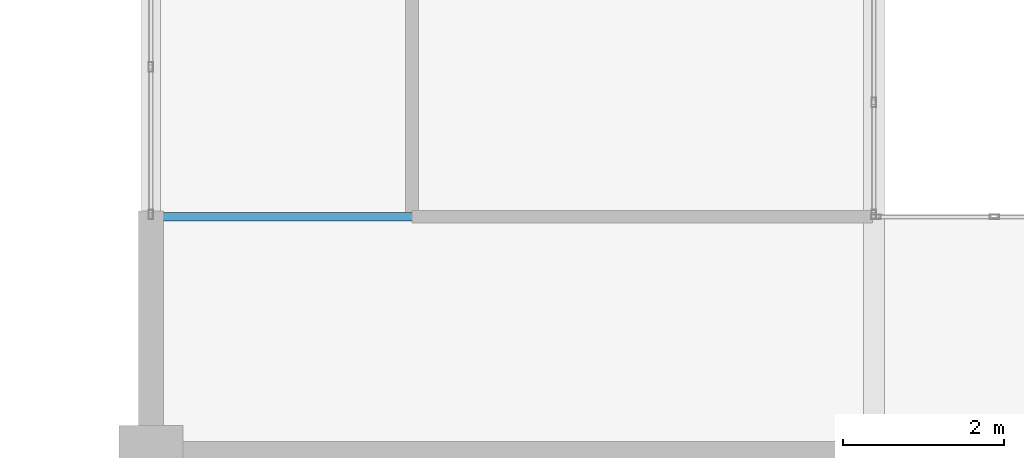
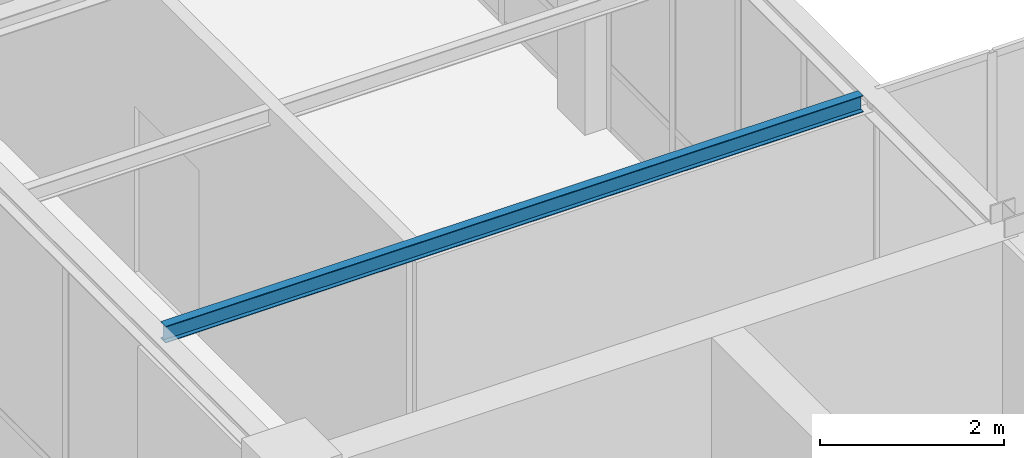
# One storey, part 5 of 36: 1 beam.
"""IFC4 building model written with IfcOpenShell, lengths in metres."""

from ifc_helpers import new_model, si_unit, direction, frame, origin, origin_2d, place, context, subcontext, project, spatial, i_section, extrude, material, material_profile, profile_set, type_object, element, save


model = new_model("IFC4")

# Units and contexts
model_context = context("Model", 3, precision=1e-05, world=origin(), true_north=direction((0.0, 1.0)))
body_context = subcontext(model_context, "Body", "Model", "MODEL_VIEW")
ifc_project = project(units=[si_unit("LENGTHUNIT", "METRE"), si_unit("AREAUNIT", "SQUARE_METRE"), si_unit("VOLUMEUNIT", "CUBIC_METRE"), si_unit("PLANEANGLEUNIT", "RADIAN"), si_unit("MASSUNIT", "GRAM", prefix="KILO")], contexts=[model_context])

# Site, building, storey
site_placement = place(None, origin())
site = spatial("IfcSite", under=ifc_project, at=site_placement, CompositionType="ELEMENT")
building_placement = place(site_placement, origin())
building = spatial("IfcBuilding", under=site, at=building_placement, Name="Lykobir Media Centre", CompositionType="ELEMENT")
storey_placement = place(building_placement, frame((0.0, 0.0, 27.60009765625)))
storey = spatial("IfcBuildingStorey", under=building, at=storey_placement, Name="L06", CompositionType="ELEMENT", Elevation=27.60009765625)

# Beam
ifc_material = material(Name="Steel S355", Category="steel")
ifc_material_profile = material_profile(ifc_material, i_section(OverallWidth=0.110107421875, OverallDepth=0.219970703125, WebThickness=0.005859375, FlangeThickness=0.00927734375, at=origin_2d()), Name="IPE 220")
ifc_profile_set = profile_set([ifc_material_profile], Name="Steel S355")
beam_type = type_object("IfcBeamType", Name="JS-IPE220", PredefinedType="JOIST", material=ifc_profile_set)
beam_placement = place(storey_placement, frame((27.1201171875, 21.0, 3.849853515625), z_axis=(1.0, 0.0, 0.0), x_axis=(0.0, 1.0, 0.0)))
element("IfcBeam", 1, at=beam_placement, inside=storey, type_object=beam_type, Name="Beam BM-L06-0271-0210-0359-0210-3145", PredefinedType="JOIST", context=body_context, shape_type="SweptSolid", body=[
    extrude(i_section(OverallWidth=0.110107421875, OverallDepth=0.219970703125, WebThickness=0.005859375, FlangeThickness=0.00927734375, at=origin_2d()), origin(), (0.0, 0.0, 1.0), 8.75),
])

save(model, "model.ifc")
